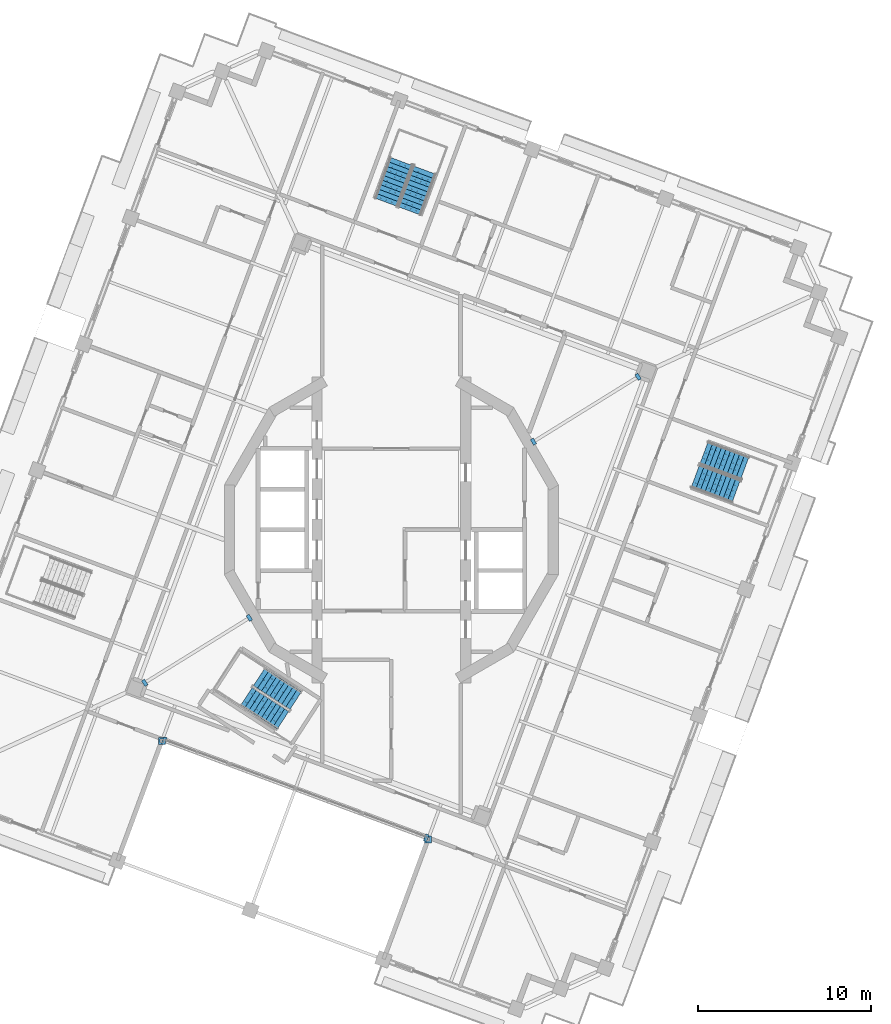
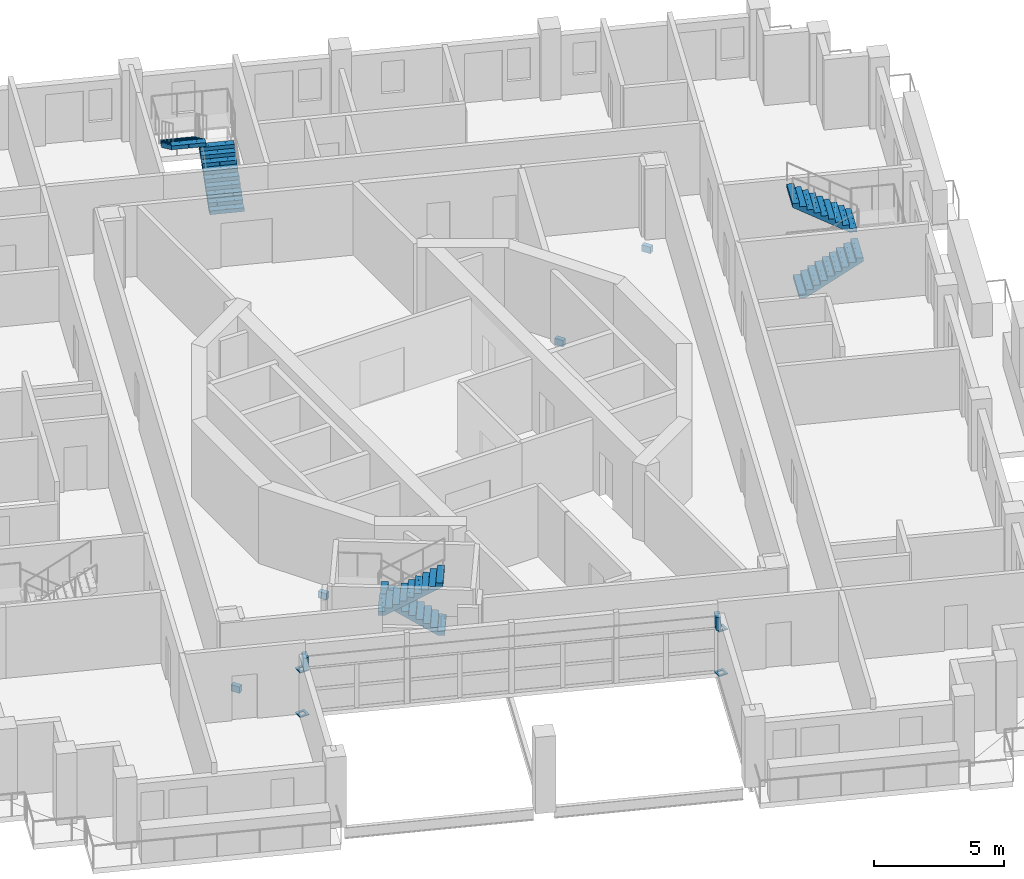
# One storey, part 12 of 19: 10 discrete accessories, 6 stair flights, 3 elements without a shape of their own.
"""IFC4 building model written with IfcOpenShell, lengths in metres."""

from ifc_helpers import new_model, si_unit, direction, frame, origin, place, context, subcontext, project, spatial, polyline, outline, extrude, material, layer, layer_set, type_object, element, aggregate, save


model = new_model("IFC4")

# Units and contexts
model_context = context("Model", 3, precision=1e-05, world=origin(), true_north=direction((0.0, 1.0)))
body_context = subcontext(model_context, "Body", "Model", "MODEL_VIEW")
ifc_project = project(units=[si_unit("LENGTHUNIT", "METRE"), si_unit("AREAUNIT", "SQUARE_METRE"), si_unit("VOLUMEUNIT", "CUBIC_METRE"), si_unit("PLANEANGLEUNIT", "RADIAN"), si_unit("MASSUNIT", "GRAM", prefix="KILO")], contexts=[model_context])

# Site, building, storey
site_placement = place(None, origin())
site = spatial("IfcSite", under=ifc_project, at=site_placement, CompositionType="ELEMENT")
building_placement = place(site_placement, origin())
building = spatial("IfcBuilding", under=site, at=building_placement, Name="Cantera Rosa Tower", CompositionType="ELEMENT")
storey_placement = place(building_placement, frame((0.0, 0.0, 324.10009765625)))
storey = spatial("IfcBuildingStorey", under=building, at=storey_placement, Name="L72", CompositionType="ELEMENT", Elevation=324.10009765625)

# Stair, stair flights
ifc_material_1 = material(Name="Concrete C35/45", Category="concrete")
stair_type_1 = type_object("IfcStairType", Name="EXIT STAIR 1200 DOGLEG", PredefinedType="HALF_TURN_STAIR", material=ifc_material_1)
stair_1_placement = place(storey_placement, origin())
stair_1 = element("IfcStair", 1, at=stair_1_placement, inside=storey, type_object=stair_type_1, Name="L72 ST-64", PredefinedType="HALF_TURN_STAIR")
ifc_material_2 = material(Name="Concrete C35/45", Category="concrete")
stair_flight_type_1 = type_object("IfcStairFlightType", Name="STAIR FLIGHT 1200 R20x180", PredefinedType="STRAIGHT", material=ifc_material_2)
stair_flight_1_placement = place(storey_placement, frame((-5.532470703125, -9.878173828125, 0.0), z_axis=(0.0, 0.0, 1.0), x_axis=(-0.838670567945, 0.544639035015, 0.0)))
stair_flight_1 = element("IfcStairFlight", 2, at=stair_flight_1_placement, type_object=stair_flight_type_1, Name="ST-64 flight 1", NumberOfRisers=10, NumberOfTreads=9, PredefinedType="STRAIGHT", RiserHeight=0.18, TreadLength=0.28, context=body_context, shape_type="SweptSolid", body=[
    extrude(outline(polyline([(0.0, 0.0), (0.0, 0.179931640625), (0.280029296875, 0.179931640625), (0.280029296875, 0.360107421875), (0.56005859375, 0.360107421875), (0.56005859375, 0.5400390625), (0.840087890625, 0.5400390625), (0.840087890625, 0.719970703125), (1.1201171875, 0.719970703125), (1.1201171875, 0.89990234375), (1.39990234375, 0.89990234375), (1.39990234375, 1.080078125), (1.679931640625, 1.080078125), (1.679931640625, 1.260009765625), (1.9599609375, 1.260009765625), (1.9599609375, 1.43994140625), (2.239990234375, 1.43994140625), (2.239990234375, 1.6201171875), (2.52001953125, 1.6201171875), (2.52001953125, 1.800048828125), (2.52001953125, 1.44189453125), (0.277099609375, 0.0), (0.0, 0.0)])), frame((0.0, 0.60009765625, 0.0), z_axis=(0.0, -1.0, 0.0), x_axis=(1.0, 0.0, 0.0)), (0.0, 0.0, 1.0), 0.298583984375),
    extrude(outline(polyline([(0.0, 0.0), (0.0, 0.179931640625), (0.280029296875, 0.179931640625), (0.280029296875, 0.360107421875), (0.56005859375, 0.360107421875), (0.56005859375, 0.5400390625), (0.840087890625, 0.5400390625), (0.840087890625, 0.719970703125), (1.1201171875, 0.719970703125), (1.1201171875, 0.89990234375), (1.39990234375, 0.89990234375), (1.39990234375, 1.080078125), (1.679931640625, 1.080078125), (1.679931640625, 1.260009765625), (1.9599609375, 1.260009765625), (1.9599609375, 1.43994140625), (2.239990234375, 1.43994140625), (2.239990234375, 1.6201171875), (2.52001953125, 1.6201171875), (2.52001953125, 1.800048828125), (2.52001953125, 1.44189453125), (0.277099609375, 0.0), (0.0, 0.0)])), frame((0.0, 0.29931640625, 0.0), z_axis=(0.0, -1.0, 0.0), x_axis=(1.0, 0.0, 0.0)), (0.0, 0.0, 1.0), 0.298583984375),
    extrude(outline(polyline([(0.0, 0.0), (0.0, 0.179931640625), (0.280029296875, 0.179931640625), (0.280029296875, 0.360107421875), (0.56005859375, 0.360107421875), (0.56005859375, 0.5400390625), (0.840087890625, 0.5400390625), (0.840087890625, 0.719970703125), (1.1201171875, 0.719970703125), (1.1201171875, 0.89990234375), (1.39990234375, 0.89990234375), (1.39990234375, 1.080078125), (1.679931640625, 1.080078125), (1.679931640625, 1.260009765625), (1.9599609375, 1.260009765625), (1.9599609375, 1.43994140625), (2.239990234375, 1.43994140625), (2.239990234375, 1.6201171875), (2.52001953125, 1.6201171875), (2.52001953125, 1.800048828125), (2.52001953125, 1.44189453125), (0.277099609375, 0.0), (0.0, 0.0)])), frame((0.0, -0.0009765625, 0.0), z_axis=(0.0, -1.0, 0.0), x_axis=(1.0, 0.0, 0.0)), (0.0, 0.0, 1.0), 0.298583984375),
    extrude(outline(polyline([(0.0, 0.0), (0.0, 0.179931640625), (0.280029296875, 0.179931640625), (0.280029296875, 0.360107421875), (0.56005859375, 0.360107421875), (0.56005859375, 0.5400390625), (0.840087890625, 0.5400390625), (0.840087890625, 0.719970703125), (1.1201171875, 0.719970703125), (1.1201171875, 0.89990234375), (1.39990234375, 0.89990234375), (1.39990234375, 1.080078125), (1.679931640625, 1.080078125), (1.679931640625, 1.260009765625), (1.9599609375, 1.260009765625), (1.9599609375, 1.43994140625), (2.239990234375, 1.43994140625), (2.239990234375, 1.6201171875), (2.52001953125, 1.6201171875), (2.52001953125, 1.800048828125), (2.52001953125, 1.44189453125), (0.277099609375, 0.0), (0.0, 0.0)])), frame((0.0, -0.3017578125, 0.0), z_axis=(0.0, -1.0, 0.0), x_axis=(1.0, 0.0, 0.0)), (0.0, 0.0, 1.0), 0.298583984375),
])
stair_flight_2_placement = place(storey_placement, frame((-8.381103515625, -9.6376953125, 1.7998046875), z_axis=(0.0, 0.0, 1.0), x_axis=(0.838670567945, -0.544639035015, 0.0)))
stair_flight_2 = element("IfcStairFlight", 3, at=stair_flight_2_placement, type_object=stair_flight_type_1, Name="ST-64 flight 2", NumberOfRisers=10, NumberOfTreads=9, PredefinedType="STRAIGHT", RiserHeight=0.18, TreadLength=0.28, context=body_context, shape_type="SweptSolid", body=[
    extrude(outline(polyline([(0.0, 0.0), (0.0, 0.179931640625), (0.280029296875, 0.179931640625), (0.280029296875, 0.360107421875), (0.56005859375, 0.360107421875), (0.56005859375, 0.5400390625), (0.840087890625, 0.5400390625), (0.840087890625, 0.719970703125), (1.1201171875, 0.719970703125), (1.1201171875, 0.89990234375), (1.39990234375, 0.89990234375), (1.39990234375, 1.080078125), (1.679931640625, 1.080078125), (1.679931640625, 1.260009765625), (1.9599609375, 1.260009765625), (1.9599609375, 1.43994140625), (2.239990234375, 1.43994140625), (2.239990234375, 1.6201171875), (2.52001953125, 1.6201171875), (2.52001953125, 1.800048828125), (2.52001953125, 1.44189453125), (0.277099609375, 0.0), (0.0, 0.0)])), frame((0.0, 0.60009765625, 0.0), z_axis=(0.0, -1.0, 0.0), x_axis=(1.0, 0.0, 0.0)), (0.0, 0.0, 1.0), 0.298583984375),
    extrude(outline(polyline([(0.0, 0.0), (0.0, 0.179931640625), (0.280029296875, 0.179931640625), (0.280029296875, 0.360107421875), (0.56005859375, 0.360107421875), (0.56005859375, 0.5400390625), (0.840087890625, 0.5400390625), (0.840087890625, 0.719970703125), (1.1201171875, 0.719970703125), (1.1201171875, 0.89990234375), (1.39990234375, 0.89990234375), (1.39990234375, 1.080078125), (1.679931640625, 1.080078125), (1.679931640625, 1.260009765625), (1.9599609375, 1.260009765625), (1.9599609375, 1.43994140625), (2.239990234375, 1.43994140625), (2.239990234375, 1.6201171875), (2.52001953125, 1.6201171875), (2.52001953125, 1.800048828125), (2.52001953125, 1.44189453125), (0.277099609375, 0.0), (0.0, 0.0)])), frame((0.0, 0.29931640625, 0.0), z_axis=(0.0, -1.0, 0.0), x_axis=(1.0, 0.0, 0.0)), (0.0, 0.0, 1.0), 0.298583984375),
    extrude(outline(polyline([(0.0, 0.0), (0.0, 0.179931640625), (0.280029296875, 0.179931640625), (0.280029296875, 0.360107421875), (0.56005859375, 0.360107421875), (0.56005859375, 0.5400390625), (0.840087890625, 0.5400390625), (0.840087890625, 0.719970703125), (1.1201171875, 0.719970703125), (1.1201171875, 0.89990234375), (1.39990234375, 0.89990234375), (1.39990234375, 1.080078125), (1.679931640625, 1.080078125), (1.679931640625, 1.260009765625), (1.9599609375, 1.260009765625), (1.9599609375, 1.43994140625), (2.239990234375, 1.43994140625), (2.239990234375, 1.6201171875), (2.52001953125, 1.6201171875), (2.52001953125, 1.800048828125), (2.52001953125, 1.44189453125), (0.277099609375, 0.0), (0.0, 0.0)])), frame((0.0, -0.0009765625, 0.0), z_axis=(0.0, -1.0, 0.0), x_axis=(1.0, 0.0, 0.0)), (0.0, 0.0, 1.0), 0.298583984375),
    extrude(outline(polyline([(0.0, 0.0), (0.0, 0.179931640625), (0.280029296875, 0.179931640625), (0.280029296875, 0.360107421875), (0.56005859375, 0.360107421875), (0.56005859375, 0.5400390625), (0.840087890625, 0.5400390625), (0.840087890625, 0.719970703125), (1.1201171875, 0.719970703125), (1.1201171875, 0.89990234375), (1.39990234375, 0.89990234375), (1.39990234375, 1.080078125), (1.679931640625, 1.080078125), (1.679931640625, 1.260009765625), (1.9599609375, 1.260009765625), (1.9599609375, 1.43994140625), (2.239990234375, 1.43994140625), (2.239990234375, 1.6201171875), (2.52001953125, 1.6201171875), (2.52001953125, 1.800048828125), (2.52001953125, 1.44189453125), (0.277099609375, 0.0), (0.0, 0.0)])), frame((0.0, -0.3017578125, 0.0), z_axis=(0.0, -1.0, 0.0), x_axis=(1.0, 0.0, 0.0)), (0.0, 0.0, 1.0), 0.298583984375),
])
aggregate(stair_1, [stair_flight_1, stair_flight_2])

ifc_material_3 = material(Name="Concrete C35/45", Category="concrete")
stair_type_2 = type_object("IfcStairType", Name="EXIT STAIR 1350 DOGLEG", PredefinedType="HALF_TURN_STAIR", material=ifc_material_3)
stair_2_placement = place(storey_placement, origin())
stair_2 = element("IfcStair", 4, at=stair_2_placement, inside=storey, type_object=stair_type_2, Name="L72 ST-61", PredefinedType="HALF_TURN_STAIR")
ifc_material_4 = material(Name="Concrete C35/45", Category="concrete")
stair_flight_type_2 = type_object("IfcStairFlightType", Name="STAIR FLIGHT 1350 R20x180", PredefinedType="STRAIGHT", material=ifc_material_4)
stair_flight_3_placement = place(storey_placement, frame((17.55908203125, 3.064453125, 0.0), z_axis=(0.0, 0.0, 1.0), x_axis=(0.937686938944, -0.347481229039, 0.0)))
stair_flight_3 = element("IfcStairFlight", 5, at=stair_flight_3_placement, type_object=stair_flight_type_2, Name="ST-61 flight 1", NumberOfRisers=10, NumberOfTreads=9, PredefinedType="STRAIGHT", RiserHeight=0.18, TreadLength=0.28, context=body_context, shape_type="SweptSolid", body=[
    extrude(outline(polyline([(0.0, 0.0), (0.0, 0.179931640625), (0.280029296875, 0.179931640625), (0.280029296875, 0.360107421875), (0.56005859375, 0.360107421875), (0.56005859375, 0.5400390625), (0.840087890625, 0.5400390625), (0.840087890625, 0.719970703125), (1.1201171875, 0.719970703125), (1.1201171875, 0.89990234375), (1.39990234375, 0.89990234375), (1.39990234375, 1.080078125), (1.679931640625, 1.080078125), (1.679931640625, 1.260009765625), (1.9599609375, 1.260009765625), (1.9599609375, 1.43994140625), (2.239990234375, 1.43994140625), (2.239990234375, 1.6201171875), (2.52001953125, 1.6201171875), (2.52001953125, 1.800048828125), (2.52001953125, 1.44189453125), (0.277099609375, 0.0), (0.0, 0.0)])), frame((0.0, 0.675048828125, 0.0), z_axis=(0.0, -1.0, 0.0), x_axis=(1.0, 0.0, 0.0)), (0.0, 0.0, 1.0), 0.3359375),
    extrude(outline(polyline([(0.0, 0.0), (0.0, 0.179931640625), (0.280029296875, 0.179931640625), (0.280029296875, 0.360107421875), (0.56005859375, 0.360107421875), (0.56005859375, 0.5400390625), (0.840087890625, 0.5400390625), (0.840087890625, 0.719970703125), (1.1201171875, 0.719970703125), (1.1201171875, 0.89990234375), (1.39990234375, 0.89990234375), (1.39990234375, 1.080078125), (1.679931640625, 1.080078125), (1.679931640625, 1.260009765625), (1.9599609375, 1.260009765625), (1.9599609375, 1.43994140625), (2.239990234375, 1.43994140625), (2.239990234375, 1.6201171875), (2.52001953125, 1.6201171875), (2.52001953125, 1.800048828125), (2.52001953125, 1.44189453125), (0.277099609375, 0.0), (0.0, 0.0)])), frame((0.0, 0.337158203125, 0.0), z_axis=(0.0, -1.0, 0.0), x_axis=(1.0, 0.0, 0.0)), (0.0, 0.0, 1.0), 0.3359375),
    extrude(outline(polyline([(0.0, 0.0), (0.0, 0.179931640625), (0.280029296875, 0.179931640625), (0.280029296875, 0.360107421875), (0.56005859375, 0.360107421875), (0.56005859375, 0.5400390625), (0.840087890625, 0.5400390625), (0.840087890625, 0.719970703125), (1.1201171875, 0.719970703125), (1.1201171875, 0.89990234375), (1.39990234375, 0.89990234375), (1.39990234375, 1.080078125), (1.679931640625, 1.080078125), (1.679931640625, 1.260009765625), (1.9599609375, 1.260009765625), (1.9599609375, 1.43994140625), (2.239990234375, 1.43994140625), (2.239990234375, 1.6201171875), (2.52001953125, 1.6201171875), (2.52001953125, 1.800048828125), (2.52001953125, 1.44189453125), (0.277099609375, 0.0), (0.0, 0.0)])), frame((0.0, -0.000732421875, 0.0), z_axis=(0.0, -1.0, 0.0), x_axis=(1.0, 0.0, 0.0)), (0.0, 0.0, 1.0), 0.3359375),
    extrude(outline(polyline([(0.0, 0.0), (0.0, 0.179931640625), (0.280029296875, 0.179931640625), (0.280029296875, 0.360107421875), (0.56005859375, 0.360107421875), (0.56005859375, 0.5400390625), (0.840087890625, 0.5400390625), (0.840087890625, 0.719970703125), (1.1201171875, 0.719970703125), (1.1201171875, 0.89990234375), (1.39990234375, 0.89990234375), (1.39990234375, 1.080078125), (1.679931640625, 1.080078125), (1.679931640625, 1.260009765625), (1.9599609375, 1.260009765625), (1.9599609375, 1.43994140625), (2.239990234375, 1.43994140625), (2.239990234375, 1.6201171875), (2.52001953125, 1.6201171875), (2.52001953125, 1.800048828125), (2.52001953125, 1.44189453125), (0.277099609375, 0.0), (0.0, 0.0)])), frame((0.0, -0.338623046875, 0.0), z_axis=(0.0, -1.0, 0.0), x_axis=(1.0, 0.0, 0.0)), (0.0, 0.0, 1.0), 0.3359375),
])
stair_flight_4_placement = place(storey_placement, frame((20.443115234375, 3.595458984375, 1.7998046875), z_axis=(0.0, 0.0, 1.0), x_axis=(-0.937686938944, 0.347481229039, 0.0)))
stair_flight_4 = element("IfcStairFlight", 6, at=stair_flight_4_placement, type_object=stair_flight_type_2, Name="ST-61 flight 2", NumberOfRisers=10, NumberOfTreads=9, PredefinedType="STRAIGHT", RiserHeight=0.18, TreadLength=0.28, context=body_context, shape_type="SweptSolid", body=[
    extrude(outline(polyline([(0.0, 0.0), (0.0, 0.179931640625), (0.280029296875, 0.179931640625), (0.280029296875, 0.360107421875), (0.56005859375, 0.360107421875), (0.56005859375, 0.5400390625), (0.840087890625, 0.5400390625), (0.840087890625, 0.719970703125), (1.1201171875, 0.719970703125), (1.1201171875, 0.89990234375), (1.39990234375, 0.89990234375), (1.39990234375, 1.080078125), (1.679931640625, 1.080078125), (1.679931640625, 1.260009765625), (1.9599609375, 1.260009765625), (1.9599609375, 1.43994140625), (2.239990234375, 1.43994140625), (2.239990234375, 1.6201171875), (2.52001953125, 1.6201171875), (2.52001953125, 1.800048828125), (2.52001953125, 1.44189453125), (0.277099609375, 0.0), (0.0, 0.0)])), frame((0.0, 0.675048828125, 0.0), z_axis=(0.0, -1.0, 0.0), x_axis=(1.0, 0.0, 0.0)), (0.0, 0.0, 1.0), 0.3359375),
    extrude(outline(polyline([(0.0, 0.0), (0.0, 0.179931640625), (0.280029296875, 0.179931640625), (0.280029296875, 0.360107421875), (0.56005859375, 0.360107421875), (0.56005859375, 0.5400390625), (0.840087890625, 0.5400390625), (0.840087890625, 0.719970703125), (1.1201171875, 0.719970703125), (1.1201171875, 0.89990234375), (1.39990234375, 0.89990234375), (1.39990234375, 1.080078125), (1.679931640625, 1.080078125), (1.679931640625, 1.260009765625), (1.9599609375, 1.260009765625), (1.9599609375, 1.43994140625), (2.239990234375, 1.43994140625), (2.239990234375, 1.6201171875), (2.52001953125, 1.6201171875), (2.52001953125, 1.800048828125), (2.52001953125, 1.44189453125), (0.277099609375, 0.0), (0.0, 0.0)])), frame((0.0, 0.337158203125, 0.0), z_axis=(0.0, -1.0, 0.0), x_axis=(1.0, 0.0, 0.0)), (0.0, 0.0, 1.0), 0.3359375),
    extrude(outline(polyline([(0.0, 0.0), (0.0, 0.179931640625), (0.280029296875, 0.179931640625), (0.280029296875, 0.360107421875), (0.56005859375, 0.360107421875), (0.56005859375, 0.5400390625), (0.840087890625, 0.5400390625), (0.840087890625, 0.719970703125), (1.1201171875, 0.719970703125), (1.1201171875, 0.89990234375), (1.39990234375, 0.89990234375), (1.39990234375, 1.080078125), (1.679931640625, 1.080078125), (1.679931640625, 1.260009765625), (1.9599609375, 1.260009765625), (1.9599609375, 1.43994140625), (2.239990234375, 1.43994140625), (2.239990234375, 1.6201171875), (2.52001953125, 1.6201171875), (2.52001953125, 1.800048828125), (2.52001953125, 1.44189453125), (0.277099609375, 0.0), (0.0, 0.0)])), frame((0.0, -0.000732421875, 0.0), z_axis=(0.0, -1.0, 0.0), x_axis=(1.0, 0.0, 0.0)), (0.0, 0.0, 1.0), 0.3359375),
    extrude(outline(polyline([(0.0, 0.0), (0.0, 0.179931640625), (0.280029296875, 0.179931640625), (0.280029296875, 0.360107421875), (0.56005859375, 0.360107421875), (0.56005859375, 0.5400390625), (0.840087890625, 0.5400390625), (0.840087890625, 0.719970703125), (1.1201171875, 0.719970703125), (1.1201171875, 0.89990234375), (1.39990234375, 0.89990234375), (1.39990234375, 1.080078125), (1.679931640625, 1.080078125), (1.679931640625, 1.260009765625), (1.9599609375, 1.260009765625), (1.9599609375, 1.43994140625), (2.239990234375, 1.43994140625), (2.239990234375, 1.6201171875), (2.52001953125, 1.6201171875), (2.52001953125, 1.800048828125), (2.52001953125, 1.44189453125), (0.277099609375, 0.0), (0.0, 0.0)])), frame((0.0, -0.338623046875, 0.0), z_axis=(0.0, -1.0, 0.0), x_axis=(1.0, 0.0, 0.0)), (0.0, 0.0, 1.0), 0.3359375),
])
aggregate(stair_2, [stair_flight_3, stair_flight_4])

stair_3_placement = place(storey_placement, origin())
stair_3 = element("IfcStair", 7, at=stair_3_placement, inside=storey, type_object=stair_type_2, Name="L72 ST-62", PredefinedType="HALF_TURN_STAIR")
stair_flight_5_placement = place(storey_placement, frame((1.069580078125, 18.426513671875, 0.0), z_axis=(0.0, 0.0, 1.0), x_axis=(0.347481229039, 0.937686938944, 0.0)))
stair_flight_5 = element("IfcStairFlight", 8, at=stair_flight_5_placement, type_object=stair_flight_type_2, Name="ST-62 flight 1", NumberOfRisers=10, NumberOfTreads=9, PredefinedType="STRAIGHT", RiserHeight=0.18, TreadLength=0.28, context=body_context, shape_type="SweptSolid", body=[
    extrude(outline(polyline([(0.0, 0.0), (0.0, 0.179931640625), (0.280029296875, 0.179931640625), (0.280029296875, 0.360107421875), (0.56005859375, 0.360107421875), (0.56005859375, 0.5400390625), (0.840087890625, 0.5400390625), (0.840087890625, 0.719970703125), (1.1201171875, 0.719970703125), (1.1201171875, 0.89990234375), (1.39990234375, 0.89990234375), (1.39990234375, 1.080078125), (1.679931640625, 1.080078125), (1.679931640625, 1.260009765625), (1.9599609375, 1.260009765625), (1.9599609375, 1.43994140625), (2.239990234375, 1.43994140625), (2.239990234375, 1.6201171875), (2.52001953125, 1.6201171875), (2.52001953125, 1.800048828125), (2.52001953125, 1.44189453125), (0.277099609375, 0.0), (0.0, 0.0)])), frame((0.0, 0.675048828125, 0.0), z_axis=(0.0, -1.0, 0.0), x_axis=(1.0, 0.0, 0.0)), (0.0, 0.0, 1.0), 0.3359375),
    extrude(outline(polyline([(0.0, 0.0), (0.0, 0.179931640625), (0.280029296875, 0.179931640625), (0.280029296875, 0.360107421875), (0.56005859375, 0.360107421875), (0.56005859375, 0.5400390625), (0.840087890625, 0.5400390625), (0.840087890625, 0.719970703125), (1.1201171875, 0.719970703125), (1.1201171875, 0.89990234375), (1.39990234375, 0.89990234375), (1.39990234375, 1.080078125), (1.679931640625, 1.080078125), (1.679931640625, 1.260009765625), (1.9599609375, 1.260009765625), (1.9599609375, 1.43994140625), (2.239990234375, 1.43994140625), (2.239990234375, 1.6201171875), (2.52001953125, 1.6201171875), (2.52001953125, 1.800048828125), (2.52001953125, 1.44189453125), (0.277099609375, 0.0), (0.0, 0.0)])), frame((0.0, 0.337158203125, 0.0), z_axis=(0.0, -1.0, 0.0), x_axis=(1.0, 0.0, 0.0)), (0.0, 0.0, 1.0), 0.3359375),
    extrude(outline(polyline([(0.0, 0.0), (0.0, 0.179931640625), (0.280029296875, 0.179931640625), (0.280029296875, 0.360107421875), (0.56005859375, 0.360107421875), (0.56005859375, 0.5400390625), (0.840087890625, 0.5400390625), (0.840087890625, 0.719970703125), (1.1201171875, 0.719970703125), (1.1201171875, 0.89990234375), (1.39990234375, 0.89990234375), (1.39990234375, 1.080078125), (1.679931640625, 1.080078125), (1.679931640625, 1.260009765625), (1.9599609375, 1.260009765625), (1.9599609375, 1.43994140625), (2.239990234375, 1.43994140625), (2.239990234375, 1.6201171875), (2.52001953125, 1.6201171875), (2.52001953125, 1.800048828125), (2.52001953125, 1.44189453125), (0.277099609375, 0.0), (0.0, 0.0)])), frame((0.0, -0.000732421875, 0.0), z_axis=(0.0, -1.0, 0.0), x_axis=(1.0, 0.0, 0.0)), (0.0, 0.0, 1.0), 0.3359375),
    extrude(outline(polyline([(0.0, 0.0), (0.0, 0.179931640625), (0.280029296875, 0.179931640625), (0.280029296875, 0.360107421875), (0.56005859375, 0.360107421875), (0.56005859375, 0.5400390625), (0.840087890625, 0.5400390625), (0.840087890625, 0.719970703125), (1.1201171875, 0.719970703125), (1.1201171875, 0.89990234375), (1.39990234375, 0.89990234375), (1.39990234375, 1.080078125), (1.679931640625, 1.080078125), (1.679931640625, 1.260009765625), (1.9599609375, 1.260009765625), (1.9599609375, 1.43994140625), (2.239990234375, 1.43994140625), (2.239990234375, 1.6201171875), (2.52001953125, 1.6201171875), (2.52001953125, 1.800048828125), (2.52001953125, 1.44189453125), (0.277099609375, 0.0), (0.0, 0.0)])), frame((0.0, -0.338623046875, 0.0), z_axis=(0.0, -1.0, 0.0), x_axis=(1.0, 0.0, 0.0)), (0.0, 0.0, 1.0), 0.3359375),
])
stair_flight_6_placement = place(storey_placement, frame((0.53857421875, 21.310791015625, 1.7998046875), z_axis=(0.0, 0.0, 1.0), x_axis=(-0.347481229039, -0.937686938944, 0.0)))
stair_flight_6 = element("IfcStairFlight", 9, at=stair_flight_6_placement, type_object=stair_flight_type_2, Name="ST-62 flight 2", NumberOfRisers=10, NumberOfTreads=9, PredefinedType="STRAIGHT", RiserHeight=0.18, TreadLength=0.28, context=body_context, shape_type="SweptSolid", body=[
    extrude(outline(polyline([(0.0, 0.0), (0.0, 0.179931640625), (0.280029296875, 0.179931640625), (0.280029296875, 0.360107421875), (0.56005859375, 0.360107421875), (0.56005859375, 0.5400390625), (0.840087890625, 0.5400390625), (0.840087890625, 0.719970703125), (1.1201171875, 0.719970703125), (1.1201171875, 0.89990234375), (1.39990234375, 0.89990234375), (1.39990234375, 1.080078125), (1.679931640625, 1.080078125), (1.679931640625, 1.260009765625), (1.9599609375, 1.260009765625), (1.9599609375, 1.43994140625), (2.239990234375, 1.43994140625), (2.239990234375, 1.6201171875), (2.52001953125, 1.6201171875), (2.52001953125, 1.800048828125), (2.52001953125, 1.44189453125), (0.277099609375, 0.0), (0.0, 0.0)])), frame((0.0, 0.675048828125, 0.0), z_axis=(0.0, -1.0, 0.0), x_axis=(1.0, 0.0, 0.0)), (0.0, 0.0, 1.0), 0.3359375),
    extrude(outline(polyline([(0.0, 0.0), (0.0, 0.179931640625), (0.280029296875, 0.179931640625), (0.280029296875, 0.360107421875), (0.56005859375, 0.360107421875), (0.56005859375, 0.5400390625), (0.840087890625, 0.5400390625), (0.840087890625, 0.719970703125), (1.1201171875, 0.719970703125), (1.1201171875, 0.89990234375), (1.39990234375, 0.89990234375), (1.39990234375, 1.080078125), (1.679931640625, 1.080078125), (1.679931640625, 1.260009765625), (1.9599609375, 1.260009765625), (1.9599609375, 1.43994140625), (2.239990234375, 1.43994140625), (2.239990234375, 1.6201171875), (2.52001953125, 1.6201171875), (2.52001953125, 1.800048828125), (2.52001953125, 1.44189453125), (0.277099609375, 0.0), (0.0, 0.0)])), frame((0.0, 0.337158203125, 0.0), z_axis=(0.0, -1.0, 0.0), x_axis=(1.0, 0.0, 0.0)), (0.0, 0.0, 1.0), 0.3359375),
    extrude(outline(polyline([(0.0, 0.0), (0.0, 0.179931640625), (0.280029296875, 0.179931640625), (0.280029296875, 0.360107421875), (0.56005859375, 0.360107421875), (0.56005859375, 0.5400390625), (0.840087890625, 0.5400390625), (0.840087890625, 0.719970703125), (1.1201171875, 0.719970703125), (1.1201171875, 0.89990234375), (1.39990234375, 0.89990234375), (1.39990234375, 1.080078125), (1.679931640625, 1.080078125), (1.679931640625, 1.260009765625), (1.9599609375, 1.260009765625), (1.9599609375, 1.43994140625), (2.239990234375, 1.43994140625), (2.239990234375, 1.6201171875), (2.52001953125, 1.6201171875), (2.52001953125, 1.800048828125), (2.52001953125, 1.44189453125), (0.277099609375, 0.0), (0.0, 0.0)])), frame((0.0, -0.000732421875, 0.0), z_axis=(0.0, -1.0, 0.0), x_axis=(1.0, 0.0, 0.0)), (0.0, 0.0, 1.0), 0.3359375),
    extrude(outline(polyline([(0.0, 0.0), (0.0, 0.179931640625), (0.280029296875, 0.179931640625), (0.280029296875, 0.360107421875), (0.56005859375, 0.360107421875), (0.56005859375, 0.5400390625), (0.840087890625, 0.5400390625), (0.840087890625, 0.719970703125), (1.1201171875, 0.719970703125), (1.1201171875, 0.89990234375), (1.39990234375, 0.89990234375), (1.39990234375, 1.080078125), (1.679931640625, 1.080078125), (1.679931640625, 1.260009765625), (1.9599609375, 1.260009765625), (1.9599609375, 1.43994140625), (2.239990234375, 1.43994140625), (2.239990234375, 1.6201171875), (2.52001953125, 1.6201171875), (2.52001953125, 1.800048828125), (2.52001953125, 1.44189453125), (0.277099609375, 0.0), (0.0, 0.0)])), frame((0.0, -0.338623046875, 0.0), z_axis=(0.0, -1.0, 0.0), x_axis=(1.0, 0.0, 0.0)), (0.0, 0.0, 1.0), 0.3359375),
])
aggregate(stair_3, [stair_flight_5, stair_flight_6])

# Discrete accessories
ifc_material_5 = material(Name="Steel ASTM A992 (Fy 345 MPa)", Category="steel")
ifc_layer = layer(ifc_material_5, 0.0400390625)
ifc_layer_set = layer_set([ifc_layer], Name="STEEL BEARING PLATE 40")
discrete_accessory_type = type_object("IfcDiscreteAccessoryType", Name="STEEL BEARING PLATE 40", PredefinedType="ANCHORPLATE", material=ifc_layer_set)
discrete_accessory_1_placement = place(storey_placement, frame((0.0, 0.0, -0.606201171875)))
element("IfcDiscreteAccessory", 10, at=discrete_accessory_1_placement, inside=storey, type_object=discrete_accessory_type, Name="BEARING PLATE PG-Z6-01 end 1 L72", PredefinedType="ANCHORPLATE", context=body_context, shape_type="SweptSolid", body=[
    extrude(outline(polyline([(-14.277099609375, -8.6318359375), (-14.447021484375, -8.7373046875), (-14.247802734375, -9.05859375), (-14.077880859375, -8.953125), (-14.277099609375, -8.6318359375)])), origin(), (0.0, 0.0, 1.0), 0.30615234375),
])
discrete_accessory_2_placement = place(storey_placement, frame((0.0, 0.0, -0.606201171875)))
element("IfcDiscreteAccessory", 11, at=discrete_accessory_2_placement, inside=storey, type_object=discrete_accessory_type, Name="BEARING PLATE PG-Z6-01 end 2 L72", PredefinedType="ANCHORPLATE", context=body_context, shape_type="SweptSolid", body=[
    extrude(outline(polyline([(-8.1982421875, -5.306640625), (-8.0283203125, -5.201416015625), (-8.2275390625, -4.880126953125), (-8.3974609375, -4.985595703125), (-8.1982421875, -5.306640625)])), origin(), (0.0, 0.0, 1.0), 0.30615234375),
])
discrete_accessory_3_placement = place(storey_placement, frame((0.0, 0.0, -0.606201171875)))
element("IfcDiscreteAccessory", 12, at=discrete_accessory_3_placement, inside=storey, type_object=discrete_accessory_type, Name="BEARING PLATE PG-Z6-02 end 1 L72", PredefinedType="ANCHORPLATE", context=body_context, shape_type="SweptSolid", body=[
    extrude(outline(polyline([(14.277099609375, 8.6318359375), (14.447021484375, 8.7373046875), (14.247802734375, 9.05859375), (14.077880859375, 8.953125), (14.277099609375, 8.6318359375)])), origin(), (0.0, 0.0, 1.0), 0.30615234375),
])
discrete_accessory_4_placement = place(storey_placement, frame((0.0, 0.0, -0.606201171875)))
element("IfcDiscreteAccessory", 13, at=discrete_accessory_4_placement, inside=storey, type_object=discrete_accessory_type, Name="BEARING PLATE PG-Z6-02 end 2 L72", PredefinedType="ANCHORPLATE", context=body_context, shape_type="SweptSolid", body=[
    extrude(outline(polyline([(8.1982421875, 5.306640625), (8.0283203125, 5.201416015625), (8.2275390625, 4.880126953125), (8.3974609375, 4.985595703125), (8.1982421875, 5.306640625)])), origin(), (0.0, 0.0, 1.0), 0.30615234375),
])
discrete_accessory_5_placement = place(storey_placement, origin())
element("IfcDiscreteAccessory", 14, at=discrete_accessory_5_placement, inside=storey, type_object=discrete_accessory_type, Name="POST PLATE L72-1F", PredefinedType="ANCHORPLATE", context=body_context, shape_type="SweptSolid", body=[
    extrude(outline(polyline([(-13.466064453125, -12.400390625), (-13.066162109375, -12.400390625), (-13.066162109375, -12.00048828125), (-13.466064453125, -12.00048828125), (-13.466064453125, -12.400390625)]), holes=[polyline([(-13.3662109375, -12.300537109375), (-13.166015625, -12.300537109375), (-13.166015625, -12.1005859375), (-13.3662109375, -12.1005859375), (-13.3662109375, -12.300537109375)])]), origin(), (0.0, 0.0, 1.0), 0.039794921875),
])
discrete_accessory_6_placement = place(storey_placement, frame((0.0, 0.0, 2.099853515625)))
element("IfcDiscreteAccessory", 15, at=discrete_accessory_6_placement, inside=storey, type_object=discrete_accessory_type, Name="POST PLATE L72-1T", PredefinedType="ANCHORPLATE", context=body_context, shape_type="SweptSolid", body=[
    extrude(outline(polyline([(-13.466064453125, -12.400390625), (-13.066162109375, -12.400390625), (-13.066162109375, -12.00048828125), (-13.466064453125, -12.00048828125), (-13.466064453125, -12.400390625)]), holes=[polyline([(-13.3662109375, -12.300537109375), (-13.166015625, -12.300537109375), (-13.166015625, -12.1005859375), (-13.3662109375, -12.1005859375), (-13.3662109375, -12.300537109375)])]), origin(), (0.0, 0.0, 1.0), 0.0400390625),
])
discrete_accessory_7_placement = place(storey_placement, origin())
element("IfcDiscreteAccessory", 16, at=discrete_accessory_7_placement, inside=storey, type_object=discrete_accessory_type, Name="POST PLATE L72-2F", PredefinedType="ANCHORPLATE", context=body_context, shape_type="SweptSolid", body=[
    extrude(outline(polyline([(1.912109375, -18.09912109375), (2.31201171875, -18.09912109375), (2.31201171875, -17.69921875), (1.912109375, -17.69921875), (1.912109375, -18.09912109375)]), holes=[polyline([(2.011962890625, -17.999267578125), (2.2119140625, -17.999267578125), (2.2119140625, -17.79931640625), (2.011962890625, -17.79931640625), (2.011962890625, -17.999267578125)])]), origin(), (0.0, 0.0, 1.0), 0.039794921875),
])
discrete_accessory_8_placement = place(storey_placement, frame((0.0, 0.0, 2.099853515625)))
element("IfcDiscreteAccessory", 17, at=discrete_accessory_8_placement, inside=storey, type_object=discrete_accessory_type, Name="POST PLATE L72-2T", PredefinedType="ANCHORPLATE", context=body_context, shape_type="SweptSolid", body=[
    extrude(outline(polyline([(1.912109375, -18.09912109375), (2.31201171875, -18.09912109375), (2.31201171875, -17.69921875), (1.912109375, -17.69921875), (1.912109375, -18.09912109375)]), holes=[polyline([(2.011962890625, -17.999267578125), (2.2119140625, -17.999267578125), (2.2119140625, -17.79931640625), (2.011962890625, -17.79931640625), (2.011962890625, -17.999267578125)])]), origin(), (0.0, 0.0, 1.0), 0.0400390625),
])
discrete_accessory_9_placement = place(storey_placement, frame((0.0, 0.0, 2.139892578125)))
element("IfcDiscreteAccessory", 18, at=discrete_accessory_9_placement, inside=storey, type_object=discrete_accessory_type, Name="LINTEL PLATE L72-1", PredefinedType="ANCHORPLATE", context=body_context, shape_type="SweptSolid", body=[
    extrude(outline(polyline([(-12.96337890625, -12.03125), (-13.15087890625, -11.961669921875), (-13.2998046875, -12.363037109375), (-13.112060546875, -12.4326171875), (-12.96337890625, -12.03125)])), origin(), (0.0, 0.0, 1.0), 0.60205078125),
])
discrete_accessory_10_placement = place(storey_placement, frame((0.0, 0.0, 2.139892578125)))
element("IfcDiscreteAccessory", 19, at=discrete_accessory_10_placement, inside=storey, type_object=discrete_accessory_type, Name="LINTEL PLATE L72-2", PredefinedType="ANCHORPLATE", context=body_context, shape_type="SweptSolid", body=[
    extrude(outline(polyline([(1.843994140625, -17.974853515625), (2.031494140625, -18.044189453125), (2.180419921875, -17.64306640625), (1.99267578125, -17.573486328125), (1.843994140625, -17.974853515625)])), origin(), (0.0, 0.0, 1.0), 0.60205078125),
])

save(model, "model.ifc")
